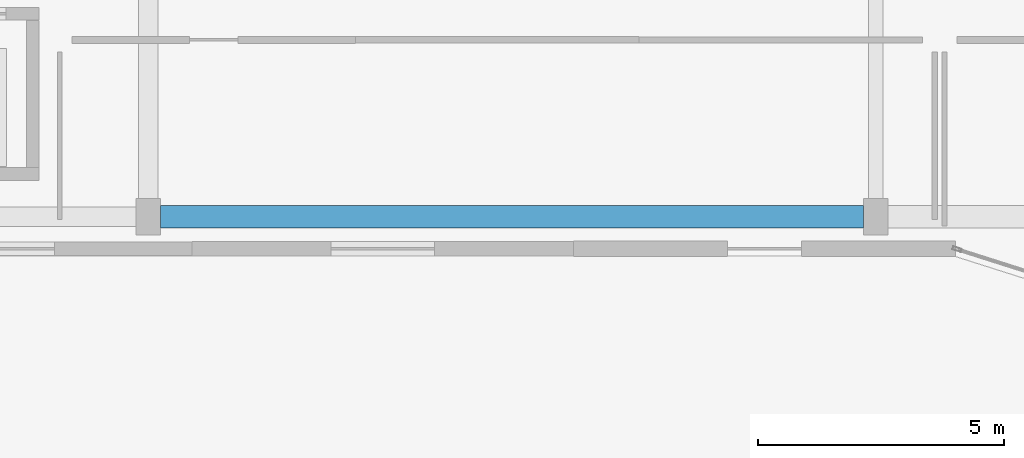
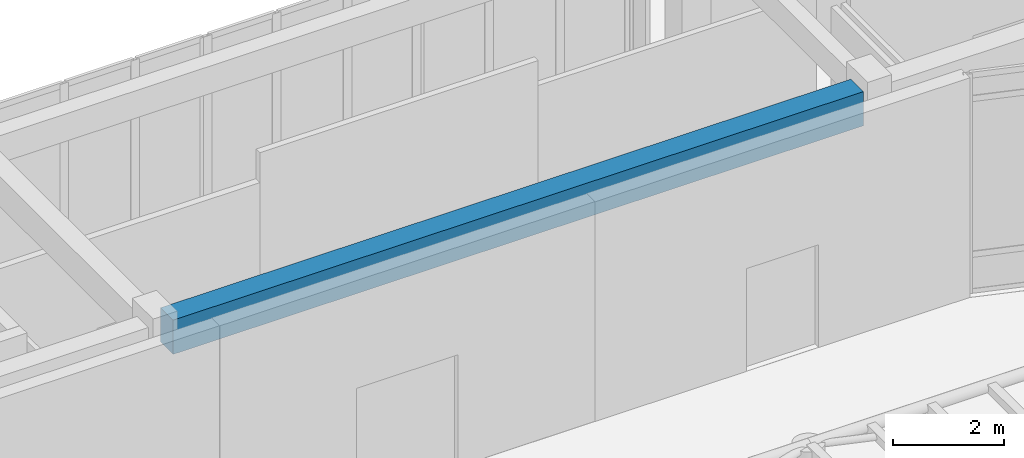
# One storey, part 49 of 121: 1 beam.
"""IFC4 building model written with IfcOpenShell, lengths in metres."""

from ifc_helpers import new_model, si_unit, direction, frame, origin, origin_2d, place, context, subcontext, project, spatial, rectangle, extrude, material, material_profile, profile_set, type_object, element, save


model = new_model("IFC4")

# Units and contexts
model_context = context("Model", 3, precision=1e-05, world=origin(), true_north=direction((0.0, 1.0)))
body_context = subcontext(model_context, "Body", "Model", "MODEL_VIEW")
ifc_project = project(units=[si_unit("LENGTHUNIT", "METRE"), si_unit("AREAUNIT", "SQUARE_METRE"), si_unit("VOLUMEUNIT", "CUBIC_METRE"), si_unit("PLANEANGLEUNIT", "RADIAN"), si_unit("MASSUNIT", "GRAM", prefix="KILO")], contexts=[model_context])

# Site, building, storey
site_placement = place(None, origin())
site = spatial("IfcSite", under=ifc_project, at=site_placement, CompositionType="ELEMENT")
building_placement = place(site_placement, origin())
building = spatial("IfcBuilding", under=site, at=building_placement, Name="Valcora Specialist Clinic", CompositionType="ELEMENT")
storey_placement = place(building_placement, origin())
storey = spatial("IfcBuildingStorey", under=building, at=storey_placement, Name="L00", CompositionType="ELEMENT", Elevation=0.0)

# Beam
ifc_material = material(Name="Concrete C40/50", Category="concrete")
ifc_material_profile = material_profile(ifc_material, rectangle(XDim=0.449951171875, YDim=0.75, at=origin_2d()), Name="RC-BM-450X750")
ifc_profile_set = profile_set([ifc_material_profile], Name="Concrete C40/50")
beam_type = type_object("IfcBeamType", Name="TY-BM-RC450X750", PredefinedType="BEAM", material=ifc_profile_set)
beam_placement = place(storey_placement, frame((76.25, 74.800048828125, 4.43505859375), z_axis=(1.0, 0.0, 0.0), x_axis=(0.0, 1.0, 0.0)))
element("IfcBeam", 1, at=beam_placement, inside=storey, type_object=beam_type, Name="Beam BM-L00-0533", PredefinedType="BEAM", context=body_context, shape_type="SweptSolid", body=[
    extrude(rectangle(XDim=0.449951171875, YDim=0.75, at=origin_2d()), origin(), (0.0, 0.0, 1.0), 14.300048828125),
])

save(model, "model.ifc")
